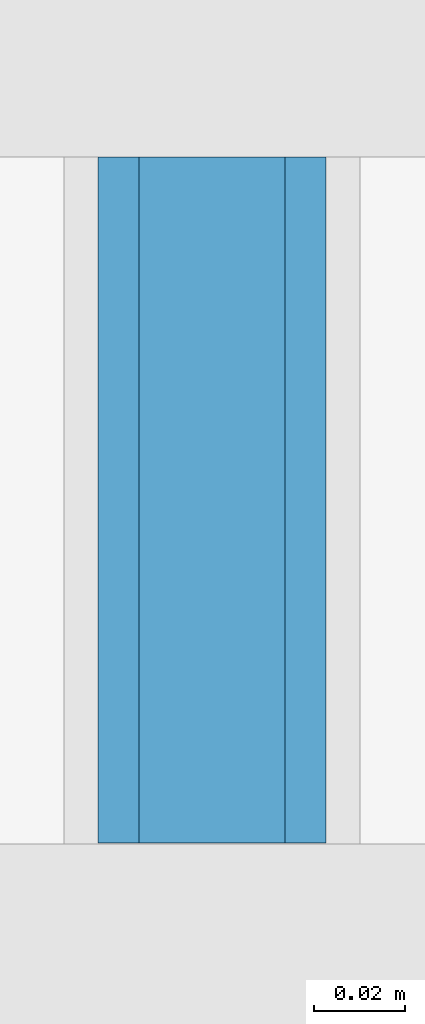
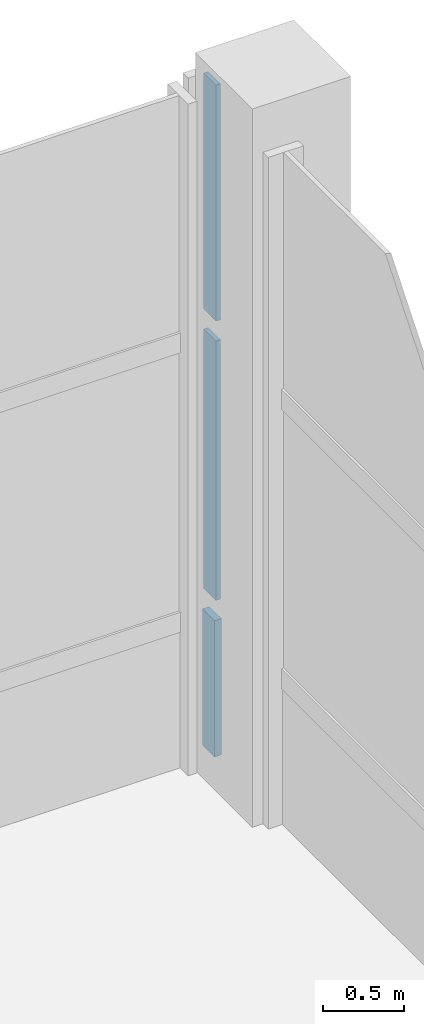
# One storey, part 13 of 17: 3 plates, 1 element without a shape of its own.
"""IFC4 building model written with IfcOpenShell, lengths in metres."""

from ifc_helpers import new_model, si_unit, direction, frame, origin, origin_2d, place, context, subcontext, project, spatial, rectangle, extrude, material, layer, layer_set, type_object, element, aggregate, save


model = new_model("IFC4")

# Units and contexts
model_context = context("Model", 3, precision=1e-05, world=origin(), true_north=direction((0.0, 1.0)))
body_context = subcontext(model_context, "Body", "Model", "MODEL_VIEW")
ifc_project = project(units=[si_unit("LENGTHUNIT", "METRE"), si_unit("AREAUNIT", "SQUARE_METRE"), si_unit("VOLUMEUNIT", "CUBIC_METRE"), si_unit("PLANEANGLEUNIT", "RADIAN"), si_unit("MASSUNIT", "GRAM", prefix="KILO")], contexts=[model_context])

# Site, building, storey
site_placement = place(None, origin())
site = spatial("IfcSite", under=ifc_project, at=site_placement, CompositionType="ELEMENT")
building_placement = place(site_placement, origin())
building = spatial("IfcBuilding", under=site, at=building_placement, Name="Turquesa Mirador Hotel Tower", CompositionType="ELEMENT")
storey_placement = place(building_placement, frame((0.0, 0.0, 5.60009765625)))
storey = spatial("IfcBuildingStorey", under=building, at=storey_placement, Name="L01", CompositionType="ELEMENT", Elevation=5.60009765625)

# Curtain wall, plates
ifc_material_1 = material(Name="Aluminium extrusion", Category="aluminium")
curtain_wall_type = type_object("IfcCurtainWallType", Name="CW-2 PODIUM CURTAIN WALL", PredefinedType="USERDEFINED", material=ifc_material_1)
curtain_wall_placement = place(storey_placement, origin())
curtain_wall = element("IfcCurtainWall", 1, at=curtain_wall_placement, inside=storey, type_object=curtain_wall_type, Name="CW-2 PODIUM CURTAIN WALL L01", ObjectType="CURTAIN WALL", PredefinedType="USERDEFINED")
ifc_material_2 = material(Name="Ceramic-printed spandrel glass on an insulated back pan", Category="glass")
ifc_layer_1 = layer(ifc_material_2, 0.050048828125)
ifc_layer_set_1 = layer_set([ifc_layer_1], Name="CW PANEL SPANDREL CERAMIC")
plate_type_1 = type_object("IfcPlateType", Name="CW PANEL SPANDREL CERAMIC", PredefinedType="CURTAIN_PANEL", material=ifc_layer_set_1)
plate_1_placement = place(storey_placement, frame((82.85009765625, 70.892333984375, 0.0), z_axis=(0.0, 0.0, 1.0), x_axis=(0.0, 1.0, 0.0)))
plate_1 = element("IfcPlate", 2, at=plate_1_placement, type_object=plate_type_1, Name="Panel", PredefinedType="CURTAIN_PANEL", context=body_context, shape_type="SweptSolid", body=[
    extrude(rectangle(XDim=0.150390625, YDim=0.050048828125, at=origin_2d()), origin(), (0.0, 0.0, 1.0), 1.02490234375),
])
ifc_material_3 = material(Name="Ceramic-fritted laminated glass", Category="glass")
ifc_layer_2 = layer(ifc_material_3, 0.031982421875)
ifc_layer_set_2 = layer_set([ifc_layer_2], Name="CW PANEL VISION FRITTED")
plate_type_2 = type_object("IfcPlateType", Name="CW PANEL VISION FRITTED", PredefinedType="CURTAIN_PANEL", material=ifc_layer_set_2)
plate_2_placement = place(storey_placement, frame((82.85009765625, 70.892333984375, 1.1748046875), z_axis=(0.0, 0.0, 1.0), x_axis=(0.0, 1.0, 0.0)))
plate_2 = element("IfcPlate", 3, at=plate_2_placement, type_object=plate_type_2, Name="Panel", PredefinedType="CURTAIN_PANEL", context=body_context, shape_type="SweptSolid", body=[
    extrude(rectangle(XDim=0.150390625, YDim=0.031982421875, at=origin_2d()), origin(), (0.0, 0.0, 1.0), 1.949951171875),
])
plate_3_placement = place(storey_placement, frame((82.85009765625, 70.892333984375, 3.27490234375), z_axis=(0.0, 0.0, 1.0), x_axis=(0.0, 1.0, 0.0)))
plate_3 = element("IfcPlate", 4, at=plate_3_placement, type_object=plate_type_2, Name="Panel", PredefinedType="CURTAIN_PANEL", context=body_context, shape_type="SweptSolid", body=[
    extrude(rectangle(XDim=0.150390625, YDim=0.031982421875, at=origin_2d()), origin(), (0.0, 0.0, 1.0), 1.77490234375),
])
aggregate(curtain_wall, [plate_1, plate_2, plate_3])

save(model, "model.ifc")
